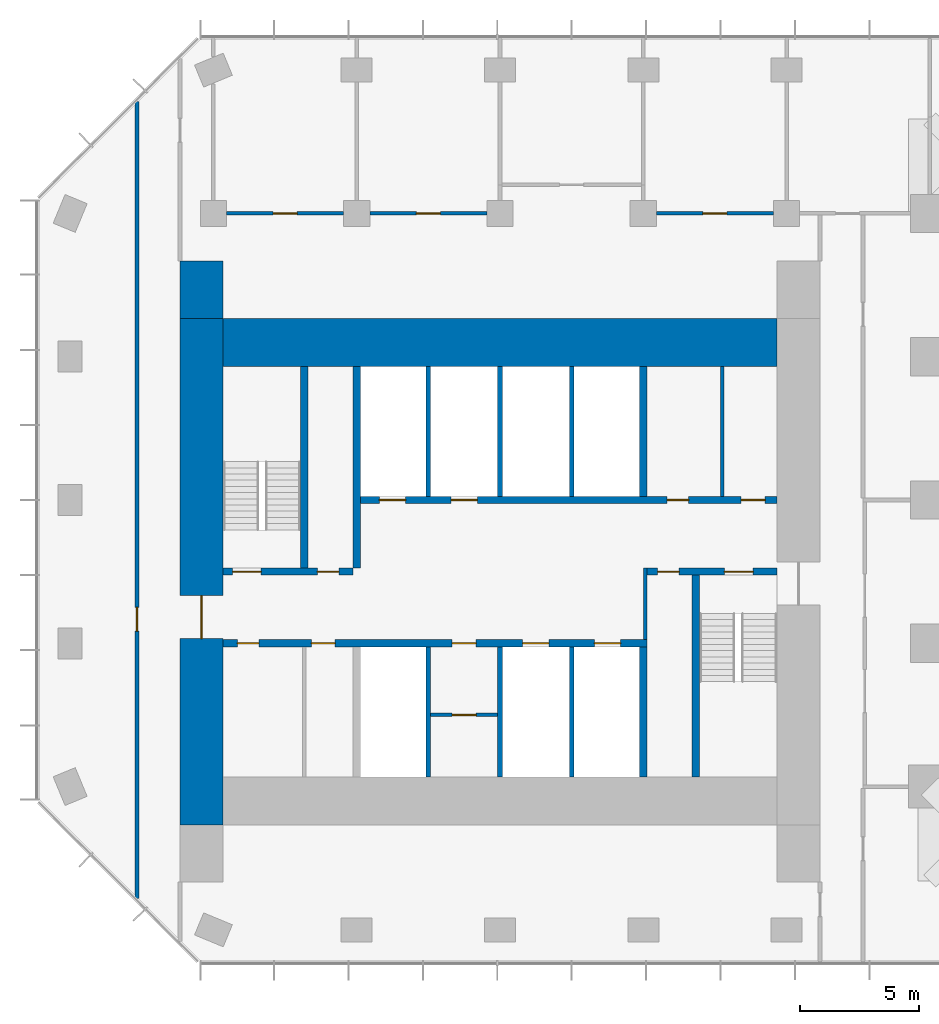
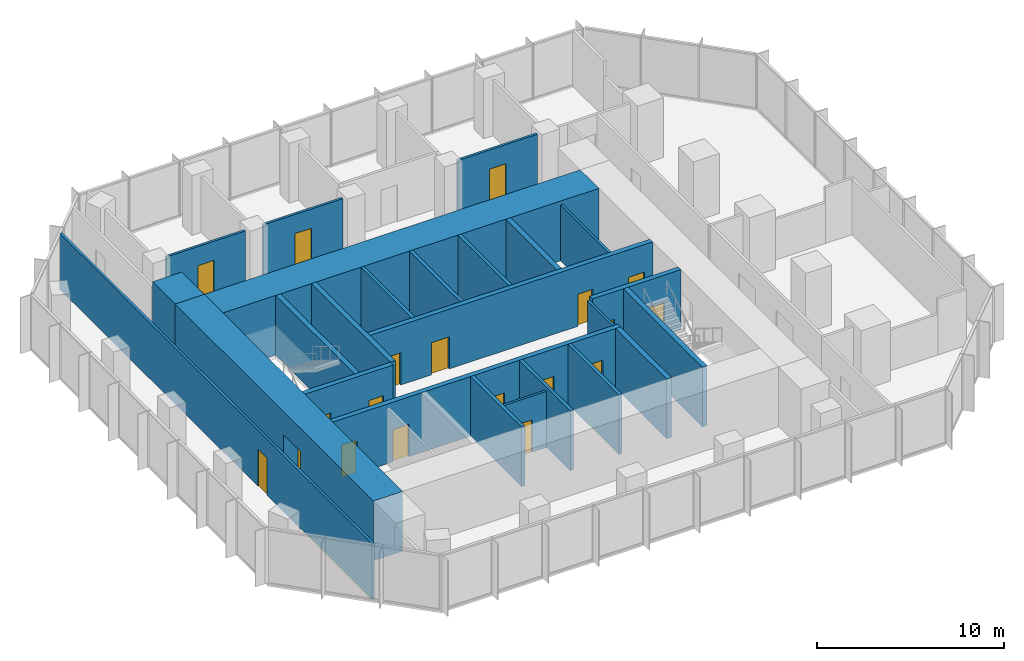
# One storey, part 8 of 10: 25 walls, 19 doors, 19 openings.
"""IFC4 building model written with IfcOpenShell, lengths in metres."""

from ifc_helpers import new_model, si_unit, direction, frame, frame_2d, origin, place, context, subcontext, project, spatial, rectangle, extrude, material, layer, layer_set, type_object, element, fill, save


model = new_model("IFC4")

# Units and contexts
model_context = context("Model", 3, precision=1e-05, world=origin(), true_north=direction((0.0, 1.0)))
body_context = subcontext(model_context, "Body", "Model", "MODEL_VIEW")
ifc_project = project(units=[si_unit("LENGTHUNIT", "METRE"), si_unit("AREAUNIT", "SQUARE_METRE"), si_unit("VOLUMEUNIT", "CUBIC_METRE"), si_unit("PLANEANGLEUNIT", "RADIAN"), si_unit("MASSUNIT", "GRAM", prefix="KILO")], contexts=[model_context])

# Site, building, storey
site_placement = place(None, origin())
site = spatial("IfcSite", under=ifc_project, at=site_placement, CompositionType="ELEMENT")
building_placement = place(site_placement, origin())
building = spatial("IfcBuilding", under=site, at=building_placement, Name="Highveld Stack Headquarters", CompositionType="ELEMENT")
storey_placement = place(building_placement, frame((0.0, 0.0, 245.0)))
storey = spatial("IfcBuildingStorey", under=building, at=storey_placement, Name="L60", CompositionType="ELEMENT", Elevation=245.0)

# Wall, opening, door
ifc_material_1 = material(Name="Concrete C60/75", Category="concrete")
ifc_layer_1 = layer(ifc_material_1, 1.800048828125)
ifc_layer_set_1 = layer_set([ifc_layer_1], Name="Concrete C60/75")
wall_type_1 = type_object("IfcWallType", Name="CORE WALL 1800 C60/75", PredefinedType="SHEAR", material=ifc_layer_set_1)
wall_1_placement = place(storey_placement, frame((-6.5, -7.60009765625, 0.0), z_axis=(0.0, 0.0, 1.0), x_axis=(0.0, 1.0, 0.0)))
wall_1 = element("IfcWall", 1, at=wall_1_placement, inside=storey, type_object=wall_type_1, Name="Core wall W L60", PredefinedType="SHEAR", context=body_context, shape_type="SweptSolid", body=[
    extrude(rectangle(XDim=21.2001953125, YDim=1.800048828125, at=frame_2d((10.60009765625, 0.0))), origin(), (0.0, 0.0, 1.0), 3.89990234375),
])
opening_1_placement = place(wall_1_placement, frame((7.800048828125, 0.0, 0.0)))
opening_1 = element("IfcOpeningElement", 2, at=opening_1_placement, cuts=wall_1, Name="Opening L60-01", PredefinedType="OPENING", context=body_context, shape_type="SweptSolid", body=[
    extrude(rectangle(XDim=1.800048828125, YDim=2.39990234375, at=frame_2d((0.89990234375, 1.199951171875))), frame((0.0, 0.909912109375, 0.0), z_axis=(0.0, -1.0, 0.0), x_axis=(1.0, 0.0, 0.0)), (0.0, 0.0, 1.0), 1.820068359375),
])
ifc_material_2 = material(Name="Steel fire door", Category="steel")
door_type_1 = type_object("IfcDoorType", Name="LOBBY FIRE DOOR D4 1800x2400", OperationType="DOUBLE_DOOR_SINGLE_SWING", PredefinedType="DOOR", material=ifc_material_2)
door_1_placement = place(opening_1_placement, origin())
door_1 = element("IfcDoor", 3, at=door_1_placement, inside=storey, type_object=door_type_1, Name="Core west door L60", OperationType="DOUBLE_DOOR_SINGLE_SWING", OverallHeight=2.39990234375, OverallWidth=1.800048828125, PredefinedType="DOOR", context=body_context, shape_type="SweptSolid", body=[
    extrude(rectangle(XDim=1.800048828125, YDim=2.39990234375, at=frame_2d((0.89990234375, 1.199951171875))), frame((0.0, 0.02490234375, 0.0), z_axis=(0.0, -1.0, 0.0), x_axis=(1.0, 0.0, 0.0)), (0.0, 0.0, 1.0), 0.050048828125),
])
fill(opening_1, door_1)

# Wall
ifc_material_3 = material(Name="Concrete C60/75", Category="concrete")
ifc_layer_2 = layer(ifc_material_3, 2.0)
ifc_layer_set_2 = layer_set([ifc_layer_2], Name="Concrete C60/75")
wall_type_2 = type_object("IfcWallType", Name="CORE WALL 2000 C60/75", PredefinedType="SHEAR", material=ifc_layer_set_2)
wall_2_placement = place(storey_placement, frame((-5.60009765625, 12.60009765625, 0.0), z_axis=(0.0, 0.0, 1.0), x_axis=(1.0, 0.0, 0.0)))
element("IfcWall", 4, at=wall_2_placement, inside=storey, type_object=wall_type_2, Name="Core wall N L60", PredefinedType="SHEAR", context=body_context, shape_type="SweptSolid", body=[
    extrude(rectangle(XDim=23.2001953125, YDim=2.0, at=frame_2d((11.60009765625, 0.0))), origin(), (0.0, 0.0, 1.0), 3.89990234375),
])

# Wall, openings, doors
ifc_material_4 = material(Name="Concrete C60/75", Category="concrete")
ifc_layer_3 = layer(ifc_material_4, 0.300048828125)
ifc_layer_set_3 = layer_set([ifc_layer_3], Name="Concrete C60/75")
wall_type_3 = type_object("IfcWallType", Name="CORE WALL 300 C60/75", PredefinedType="SHEAR", material=ifc_layer_set_3)
wall_3_placement = place(storey_placement, frame((-5.60009765625, 0.0, 0.0), z_axis=(0.0, 0.0, 1.0), x_axis=(1.0, 0.0, 0.0)))
wall_3 = element("IfcWall", 5, at=wall_3_placement, inside=storey, type_object=wall_type_3, Name="Core wall I-Y0 L60", PredefinedType="SHEAR", context=body_context, shape_type="SweptSolid", body=[
    extrude(rectangle(XDim=17.75, YDim=0.300048828125, at=frame_2d((8.875, 0.0))), origin(), (0.0, 0.0, 1.0), 3.89990234375),
])
opening_2_placement = place(wall_3_placement, frame((0.60009765625, 0.0, 0.0)))
opening_2 = element("IfcOpeningElement", 6, at=opening_2_placement, cuts=wall_3, Name="Opening L60-07", PredefinedType="OPENING", context=body_context, shape_type="SweptSolid", body=[
    extrude(rectangle(XDim=0.89990234375, YDim=2.10009765625, at=frame_2d((0.449951171875, 1.050048828125))), frame((0.0, 0.159912109375, 0.0), z_axis=(0.0, -1.0, 0.0), x_axis=(1.0, 0.0, 0.0)), (0.0, 0.0, 1.0), 0.320068359375),
])
opening_3_placement = place(wall_3_placement, frame((3.699951171875, 0.0, 0.0)))
opening_3 = element("IfcOpeningElement", 7, at=opening_3_placement, cuts=wall_3, Name="Opening L60-08", PredefinedType="OPENING", context=body_context, shape_type="SweptSolid", body=[
    extrude(rectangle(XDim=1.0, YDim=2.10009765625, at=frame_2d((0.5, 1.050048828125))), frame((0.0, 0.159912109375, 0.0), z_axis=(0.0, -1.0, 0.0), x_axis=(1.0, 0.0, 0.0)), (0.0, 0.0, 1.0), 0.320068359375),
])
opening_4_placement = place(wall_3_placement, frame((9.60009765625, 0.0, 0.0)))
opening_4 = element("IfcOpeningElement", 8, at=opening_4_placement, cuts=wall_3, Name="Opening L60-12", PredefinedType="OPENING", context=body_context, shape_type="SweptSolid", body=[
    extrude(rectangle(XDim=1.0, YDim=2.10009765625, at=frame_2d((0.5, 1.050048828125))), frame((0.0, 0.159912109375, 0.0), z_axis=(0.0, -1.0, 0.0), x_axis=(1.0, 0.0, 0.0)), (0.0, 0.0, 1.0), 0.320068359375),
])
opening_5_placement = place(wall_3_placement, frame((12.550048828125, 0.0, 0.0)))
opening_5 = element("IfcOpeningElement", 9, at=opening_5_placement, cuts=wall_3, Name="Opening LD", PredefinedType="OPENING", context=body_context, shape_type="SweptSolid", body=[
    extrude(rectangle(XDim=1.10009765625, YDim=2.10009765625, at=frame_2d((0.550048828125, 1.050048828125))), frame((0.0, 0.159912109375, 0.0), z_axis=(0.0, -1.0, 0.0), x_axis=(1.0, 0.0, 0.0)), (0.0, 0.0, 1.0), 0.320068359375),
])
opening_6_placement = place(wall_3_placement, frame((15.550048828125, 0.0, 0.0)))
opening_6 = element("IfcOpeningElement", 10, at=opening_6_placement, cuts=wall_3, Name="Opening LD", PredefinedType="OPENING", context=body_context, shape_type="SweptSolid", body=[
    extrude(rectangle(XDim=1.10009765625, YDim=2.10009765625, at=frame_2d((0.550048828125, 1.050048828125))), frame((0.0, 0.159912109375, 0.0), z_axis=(0.0, -1.0, 0.0), x_axis=(1.0, 0.0, 0.0)), (0.0, 0.0, 1.0), 0.320068359375),
])
ifc_material_5 = material(Name="Steel fire door", Category="steel")
door_type_2 = type_object("IfcDoorType", Name="CORE ROOM FIRE DOOR D14 1000x2100", OperationType="SINGLE_SWING_LEFT", PredefinedType="DOOR", material=ifc_material_5)
door_2_placement = place(opening_3_placement, origin())
door_2 = element("IfcDoor", 11, at=door_2_placement, inside=storey, type_object=door_type_2, Name="Cleaners store door L60", OperationType="SINGLE_SWING_LEFT", OverallHeight=2.10009765625, OverallWidth=1.0, PredefinedType="DOOR", context=body_context, shape_type="SweptSolid", body=[
    extrude(rectangle(XDim=1.0, YDim=2.10009765625, at=frame_2d((0.5, 1.050048828125))), frame((0.0, 0.02490234375, 0.0), z_axis=(0.0, -1.0, 0.0), x_axis=(1.0, 0.0, 0.0)), (0.0, 0.0, 1.0), 0.050048828125),
])
fill(opening_3, door_2)
door_3_placement = place(opening_4_placement, origin())
door_3 = element("IfcDoor", 12, at=door_3_placement, inside=storey, type_object=door_type_2, Name="Capped B 1 door L60", OperationType="SINGLE_SWING_RIGHT", OverallHeight=2.10009765625, OverallWidth=1.0, PredefinedType="DOOR", context=body_context, shape_type="SweptSolid", body=[
    extrude(rectangle(XDim=1.0, YDim=2.10009765625, at=frame_2d((0.5, 1.050048828125))), frame((0.0, 0.02490234375, 0.0), z_axis=(0.0, -1.0, 0.0), x_axis=(1.0, 0.0, 0.0)), (0.0, 0.0, 1.0), 0.050048828125),
])
fill(opening_4, door_3)
ifc_material_6 = material(Name="Stainless steel lift landing door", Category="steel")
door_type_3 = type_object("IfcDoorType", Name="LIFT LANDING DOOR LD 1100x2100", OperationType="DOUBLE_DOOR_SLIDING", PredefinedType="USERDEFINED", material=ifc_material_6)
door_4_placement = place(opening_5_placement, origin())
door_4 = element("IfcDoor", 13, at=door_4_placement, inside=storey, type_object=door_type_3, Name="Lift landing door C1 L60", ObjectType="LIFT LANDING DOOR", OperationType="DOUBLE_DOOR_SLIDING", OverallHeight=2.10009765625, OverallWidth=1.10009765625, PredefinedType="USERDEFINED", context=body_context, shape_type="SweptSolid", body=[
    extrude(rectangle(XDim=1.10009765625, YDim=2.10009765625, at=frame_2d((0.550048828125, 1.050048828125))), frame((0.0, 0.02490234375, 0.0), z_axis=(0.0, -1.0, 0.0), x_axis=(1.0, 0.0, 0.0)), (0.0, 0.0, 1.0), 0.050048828125),
])
fill(opening_5, door_4)
door_5_placement = place(opening_6_placement, origin())
door_5 = element("IfcDoor", 14, at=door_5_placement, inside=storey, type_object=door_type_3, Name="Lift landing door C2 L60", ObjectType="LIFT LANDING DOOR", OperationType="DOUBLE_DOOR_SLIDING", OverallHeight=2.10009765625, OverallWidth=1.10009765625, PredefinedType="USERDEFINED", context=body_context, shape_type="SweptSolid", body=[
    extrude(rectangle(XDim=1.10009765625, YDim=2.10009765625, at=frame_2d((0.550048828125, 1.050048828125))), frame((0.0, 0.02490234375, 0.0), z_axis=(0.0, -1.0, 0.0), x_axis=(1.0, 0.0, 0.0)), (0.0, 0.0, 1.0), 0.050048828125),
])
fill(opening_6, door_5)
ifc_material_7 = material(Name="Timber door, painted", Category="wood")
door_type_4 = type_object("IfcDoorType", Name="WC DOOR D1 900x2100", OperationType="SINGLE_SWING_LEFT", PredefinedType="DOOR", material=ifc_material_7)
door_6_placement = place(opening_2_placement, origin())
door_6 = element("IfcDoor", 15, at=door_6_placement, inside=storey, type_object=door_type_4, Name="Female WC door L60", OperationType="SINGLE_SWING_LEFT", OverallHeight=2.10009765625, OverallWidth=0.89990234375, PredefinedType="DOOR", context=body_context, shape_type="SweptSolid", body=[
    extrude(rectangle(XDim=0.89990234375, YDim=2.10009765625, at=frame_2d((0.449951171875, 1.050048828125))), frame((0.0, 0.02490234375, 0.0), z_axis=(0.0, -1.0, 0.0), x_axis=(1.0, 0.0, 0.0)), (0.0, 0.0, 1.0), 0.050048828125),
])
fill(opening_2, door_6)

wall_4_placement = place(storey_placement, frame((-5.60009765625, 3.0, 0.0), z_axis=(0.0, 0.0, 1.0), x_axis=(1.0, 0.0, 0.0)))
wall_4 = element("IfcWall", 16, at=wall_4_placement, inside=storey, type_object=wall_type_3, Name="Core wall I-Y3W L60", PredefinedType="SHEAR", context=body_context, shape_type="SweptSolid", body=[
    extrude(rectangle(XDim=5.4501953125, YDim=0.300048828125, at=frame_2d((2.72509765625, 0.0))), origin(), (0.0, 0.0, 1.0), 3.89990234375),
])
opening_7_placement = place(wall_4_placement, frame((0.39990234375, 0.0, 0.0)))
opening_7 = element("IfcOpeningElement", 17, at=opening_7_placement, cuts=wall_4, Name="Opening L60-03", PredefinedType="OPENING", context=body_context, shape_type="SweptSolid", body=[
    extrude(rectangle(XDim=1.199951171875, YDim=2.10009765625, at=frame_2d((0.60009765625, 1.050048828125))), frame((0.0, 0.159912109375, 0.0), z_axis=(0.0, -1.0, 0.0), x_axis=(1.0, 0.0, 0.0)), (0.0, 0.0, 1.0), 0.320068359375),
])
opening_8_placement = place(wall_4_placement, frame((3.949951171875, 0.0, 0.0)))
opening_8 = element("IfcOpeningElement", 18, at=opening_8_placement, cuts=wall_4, Name="Opening L60-04", PredefinedType="OPENING", context=body_context, shape_type="SweptSolid", body=[
    extrude(rectangle(XDim=0.89990234375, YDim=2.10009765625, at=frame_2d((0.449951171875, 1.050048828125))), frame((0.0, 0.159912109375, 0.0), z_axis=(0.0, -1.0, 0.0), x_axis=(1.0, 0.0, 0.0)), (0.0, 0.0, 1.0), 0.320068359375),
])
ifc_material_8 = material(Name="Steel fire door", Category="steel")
door_type_5 = type_object("IfcDoorType", Name="RISER ACCESS DOOR D5 900x2100", OperationType="SINGLE_SWING_LEFT", PredefinedType="DOOR", material=ifc_material_8)
door_7_placement = place(opening_8_placement, origin())
door_7 = element("IfcDoor", 19, at=door_7_placement, inside=storey, type_object=door_type_5, Name="Riser R1 door L60", OperationType="SINGLE_SWING_RIGHT", OverallHeight=2.10009765625, OverallWidth=0.89990234375, PredefinedType="DOOR", context=body_context, shape_type="SweptSolid", body=[
    extrude(rectangle(XDim=0.89990234375, YDim=2.10009765625, at=frame_2d((0.449951171875, 1.050048828125))), frame((0.0, 0.02490234375, 0.0), z_axis=(0.0, -1.0, 0.0), x_axis=(1.0, 0.0, 0.0)), (0.0, 0.0, 1.0), 0.050048828125),
])
fill(opening_8, door_7)
ifc_material_9 = material(Name="Steel fire door", Category="steel")
door_type_6 = type_object("IfcDoorType", Name="STAIR FIRE DOOR D3 1200x2100", OperationType="SINGLE_SWING_LEFT", PredefinedType="DOOR", material=ifc_material_9)
door_8_placement = place(opening_7_placement, origin())
door_8 = element("IfcDoor", 20, at=door_8_placement, inside=storey, type_object=door_type_6, Name="Stair S1 door L60", OperationType="SINGLE_SWING_LEFT", OverallHeight=2.10009765625, OverallWidth=1.199951171875, PredefinedType="DOOR", context=body_context, shape_type="SweptSolid", body=[
    extrude(rectangle(XDim=1.199951171875, YDim=2.10009765625, at=frame_2d((0.60009765625, 1.050048828125))), frame((0.0, 0.02490234375, 0.0), z_axis=(0.0, -1.0, 0.0), x_axis=(1.0, 0.0, 0.0)), (0.0, 0.0, 1.0), 0.050048828125),
])
fill(opening_7, door_8)

wall_5_placement = place(storey_placement, frame((12.14990234375, 3.0, 0.0), z_axis=(0.0, 0.0, 1.0), x_axis=(1.0, 0.0, 0.0)))
wall_5 = element("IfcWall", 21, at=wall_5_placement, inside=storey, type_object=wall_type_3, Name="Core wall I-Y3E L60", PredefinedType="SHEAR", context=body_context, shape_type="SweptSolid", body=[
    extrude(rectangle(XDim=5.4501953125, YDim=0.300048828125, at=frame_2d((2.72509765625, 0.0))), origin(), (0.0, 0.0, 1.0), 3.89990234375),
])
opening_9_placement = place(wall_5_placement, frame((3.25, 0.0, 0.0)))
opening_9 = element("IfcOpeningElement", 22, at=opening_9_placement, cuts=wall_5, Name="Opening L60-05", PredefinedType="OPENING", context=body_context, shape_type="SweptSolid", body=[
    extrude(rectangle(XDim=1.199951171875, YDim=2.10009765625, at=frame_2d((0.60009765625, 1.050048828125))), frame((0.0, 0.159912109375, 0.0), z_axis=(0.0, -1.0, 0.0), x_axis=(1.0, 0.0, 0.0)), (0.0, 0.0, 1.0), 0.320068359375),
])
opening_10_placement = place(wall_5_placement, frame((0.449951171875, 0.0, 0.0)))
opening_10 = element("IfcOpeningElement", 23, at=opening_10_placement, cuts=wall_5, Name="Opening L60-06", PredefinedType="OPENING", context=body_context, shape_type="SweptSolid", body=[
    extrude(rectangle(XDim=0.89990234375, YDim=2.10009765625, at=frame_2d((0.449951171875, 1.050048828125))), frame((0.0, 0.159912109375, 0.0), z_axis=(0.0, -1.0, 0.0), x_axis=(1.0, 0.0, 0.0)), (0.0, 0.0, 1.0), 0.320068359375),
])
door_9_placement = place(opening_10_placement, origin())
door_9 = element("IfcDoor", 24, at=door_9_placement, inside=storey, type_object=door_type_5, Name="Riser R2 door L60", OperationType="SINGLE_SWING_LEFT", OverallHeight=2.10009765625, OverallWidth=0.89990234375, PredefinedType="DOOR", context=body_context, shape_type="SweptSolid", body=[
    extrude(rectangle(XDim=0.89990234375, YDim=2.10009765625, at=frame_2d((0.449951171875, 1.050048828125))), frame((0.0, 0.02490234375, 0.0), z_axis=(0.0, -1.0, 0.0), x_axis=(1.0, 0.0, 0.0)), (0.0, 0.0, 1.0), 0.050048828125),
])
fill(opening_10, door_9)
door_10_placement = place(opening_9_placement, origin())
door_10 = element("IfcDoor", 25, at=door_10_placement, inside=storey, type_object=door_type_6, Name="Stair S2 door L60", OperationType="SINGLE_SWING_RIGHT", OverallHeight=2.10009765625, OverallWidth=1.199951171875, PredefinedType="DOOR", context=body_context, shape_type="SweptSolid", body=[
    extrude(rectangle(XDim=1.199951171875, YDim=2.10009765625, at=frame_2d((0.60009765625, 1.050048828125))), frame((0.0, 0.02490234375, 0.0), z_axis=(0.0, -1.0, 0.0), x_axis=(1.0, 0.0, 0.0)), (0.0, 0.0, 1.0), 0.050048828125),
])
fill(opening_9, door_10)

wall_6_placement = place(storey_placement, frame((-0.14990234375, 6.0, 0.0), z_axis=(0.0, 0.0, 1.0), x_axis=(1.0, 0.0, 0.0)))
wall_6 = element("IfcWall", 26, at=wall_6_placement, inside=storey, type_object=wall_type_3, Name="Core wall I-Y6 L60", PredefinedType="SHEAR", context=body_context, shape_type="SweptSolid", body=[
    extrude(rectangle(XDim=17.75, YDim=0.300048828125, at=frame_2d((8.875, 0.0))), origin(), (0.0, 0.0, 1.0), 3.89990234375),
])
opening_11_placement = place(wall_6_placement, frame((13.14990234375, 0.0, 0.0)))
opening_11 = element("IfcOpeningElement", 27, at=opening_11_placement, cuts=wall_6, Name="Opening L60-09", PredefinedType="OPENING", context=body_context, shape_type="SweptSolid", body=[
    extrude(rectangle(XDim=0.89990234375, YDim=2.10009765625, at=frame_2d((0.449951171875, 1.050048828125))), frame((0.0, 0.159912109375, 0.0), z_axis=(0.0, -1.0, 0.0), x_axis=(1.0, 0.0, 0.0)), (0.0, 0.0, 1.0), 0.320068359375),
])
opening_12_placement = place(wall_6_placement, frame((16.25, 0.0, 0.0)))
opening_12 = element("IfcOpeningElement", 28, at=opening_12_placement, cuts=wall_6, Name="Opening L60-10", PredefinedType="OPENING", context=body_context, shape_type="SweptSolid", body=[
    extrude(rectangle(XDim=1.0, YDim=2.10009765625, at=frame_2d((0.5, 1.050048828125))), frame((0.0, 0.159912109375, 0.0), z_axis=(0.0, -1.0, 0.0), x_axis=(1.0, 0.0, 0.0)), (0.0, 0.0, 1.0), 0.320068359375),
])
opening_13_placement = place(wall_6_placement, frame((1.10009765625, 0.0, 0.0)))
opening_13 = element("IfcOpeningElement", 29, at=opening_13_placement, cuts=wall_6, Name="Opening LD", PredefinedType="OPENING", context=body_context, shape_type="SweptSolid", body=[
    extrude(rectangle(XDim=1.10009765625, YDim=2.10009765625, at=frame_2d((0.550048828125, 1.050048828125))), frame((0.0, 0.159912109375, 0.0), z_axis=(0.0, -1.0, 0.0), x_axis=(1.0, 0.0, 0.0)), (0.0, 0.0, 1.0), 0.320068359375),
])
opening_14_placement = place(wall_6_placement, frame((4.10009765625, 0.0, 0.0)))
opening_14 = element("IfcOpeningElement", 30, at=opening_14_placement, cuts=wall_6, Name="Opening LD", PredefinedType="OPENING", context=body_context, shape_type="SweptSolid", body=[
    extrude(rectangle(XDim=1.10009765625, YDim=2.10009765625, at=frame_2d((0.550048828125, 1.050048828125))), frame((0.0, 0.159912109375, 0.0), z_axis=(0.0, -1.0, 0.0), x_axis=(1.0, 0.0, 0.0)), (0.0, 0.0, 1.0), 0.320068359375),
])
ifc_material_10 = material(Name="Timber door, painted", Category="wood")
door_type_7 = type_object("IfcDoorType", Name="ACCESSIBLE WC DOOR D2 1000x2100", OperationType="SINGLE_SWING_RIGHT", PredefinedType="DOOR", material=ifc_material_10)
door_11_placement = place(opening_12_placement, origin())
door_11 = element("IfcDoor", 31, at=door_11_placement, inside=storey, type_object=door_type_7, Name="Accessible WC door L60", OperationType="SINGLE_SWING_RIGHT", OverallHeight=2.10009765625, OverallWidth=1.0, PredefinedType="DOOR", context=body_context, shape_type="SweptSolid", body=[
    extrude(rectangle(XDim=1.0, YDim=2.10009765625, at=frame_2d((0.5, 1.050048828125))), frame((0.0, 0.02490234375, 0.0), z_axis=(0.0, -1.0, 0.0), x_axis=(1.0, 0.0, 0.0)), (0.0, 0.0, 1.0), 0.050048828125),
])
fill(opening_12, door_11)
door_12_placement = place(opening_13_placement, origin())
door_12 = element("IfcDoor", 32, at=door_12_placement, inside=storey, type_object=door_type_3, Name="Lift landing door FF1 L60", ObjectType="LIFT LANDING DOOR", OperationType="DOUBLE_DOOR_SLIDING", OverallHeight=2.10009765625, OverallWidth=1.10009765625, PredefinedType="USERDEFINED", context=body_context, shape_type="SweptSolid", body=[
    extrude(rectangle(XDim=1.10009765625, YDim=2.10009765625, at=frame_2d((0.550048828125, 1.050048828125))), frame((0.0, 0.02490234375, 0.0), z_axis=(0.0, -1.0, 0.0), x_axis=(1.0, 0.0, 0.0)), (0.0, 0.0, 1.0), 0.050048828125),
])
fill(opening_13, door_12)
door_13_placement = place(opening_14_placement, origin())
door_13 = element("IfcDoor", 33, at=door_13_placement, inside=storey, type_object=door_type_3, Name="Lift landing door FF2 L60", ObjectType="LIFT LANDING DOOR", OperationType="DOUBLE_DOOR_SLIDING", OverallHeight=2.10009765625, OverallWidth=1.10009765625, PredefinedType="USERDEFINED", context=body_context, shape_type="SweptSolid", body=[
    extrude(rectangle(XDim=1.10009765625, YDim=2.10009765625, at=frame_2d((0.550048828125, 1.050048828125))), frame((0.0, 0.02490234375, 0.0), z_axis=(0.0, -1.0, 0.0), x_axis=(1.0, 0.0, 0.0)), (0.0, 0.0, 1.0), 0.050048828125),
])
fill(opening_14, door_13)
door_14_placement = place(opening_11_placement, origin())
door_14 = element("IfcDoor", 34, at=door_14_placement, inside=storey, type_object=door_type_4, Name="Male WC door L60", OperationType="SINGLE_SWING_RIGHT", OverallHeight=2.10009765625, OverallWidth=0.89990234375, PredefinedType="DOOR", context=body_context, shape_type="SweptSolid", body=[
    extrude(rectangle(XDim=0.89990234375, YDim=2.10009765625, at=frame_2d((0.449951171875, 1.050048828125))), frame((0.0, 0.02490234375, 0.0), z_axis=(0.0, -1.0, 0.0), x_axis=(1.0, 0.0, 0.0)), (0.0, 0.0, 1.0), 0.050048828125),
])
fill(opening_11, door_14)

# Walls
wall_7_placement = place(storey_placement, frame((0.0, 3.14990234375, 0.0), z_axis=(0.0, 0.0, 1.0), x_axis=(0.0, 1.0, 0.0)))
element("IfcWall", 35, at=wall_7_placement, inside=storey, type_object=wall_type_3, Name="Core wall I-X0N L60", PredefinedType="SHEAR", context=body_context, shape_type="SweptSolid", body=[
    extrude(rectangle(XDim=8.4501953125, YDim=0.300048828125, at=frame_2d((4.22509765625, 0.0))), origin(), (0.0, 0.0, 1.0), 3.89990234375),
])
for number, where, z_axis, x_axis, name in (
    (36, (12.0, -5.60009765625, 0.0), (0.0, 0.0, 1.0), (0.0, 1.0, 0.0), "Core wall I-X12S L60"),
    (37, (12.0, 6.14990234375, 0.0), (0.0, 0.0, 1.0), (0.0, 1.0, 0.0), "Core wall I-X12N L60"),
):
    element("IfcWall", number, at=place(storey_placement, frame(where, z_axis=z_axis, x_axis=x_axis)), inside=storey, type_object=wall_type_3, Name=name, PredefinedType="SHEAR", context=body_context, shape_type="SweptSolid", body=[
        extrude(rectangle(XDim=5.4501953125, YDim=0.300048828125, at=frame_2d((2.72509765625, 0.0))), origin(), (0.0, 0.0, 1.0), 3.89990234375),
    ])
for number, where, z_axis, x_axis, name in (
    (38, (-2.199951171875, 3.14990234375, 0.0), (0.0, 0.0, 1.0), (0.0, 1.0, 0.0), "Core wall I-RW L60"),
    (39, (14.199951171875, -5.60009765625, 0.0), (0.0, 0.0, 1.0), (0.0, 1.0, 0.0), "Core wall I-RE L60"),
):
    element("IfcWall", number, at=place(storey_placement, frame(where, z_axis=z_axis, x_axis=x_axis)), inside=storey, type_object=wall_type_3, Name=name, PredefinedType="SHEAR", context=body_context, shape_type="SweptSolid", body=[
        extrude(rectangle(XDim=8.4501953125, YDim=0.300048828125, at=frame_2d((4.22509765625, 0.0))), origin(), (0.0, 0.0, 1.0), 3.89990234375),
    ])
ifc_material_11 = material(Name="Concrete C60/75", Category="concrete")
ifc_layer_4 = layer(ifc_material_11, 1.800048828125)
ifc_layer_set_4 = layer_set([ifc_layer_4], Name="Concrete C60/75")
wall_type_4 = type_object("IfcWallType", Name="CORE WING WALL 1800 C60/75", PredefinedType="SHEAR", material=ifc_layer_set_4)
wall_8_placement = place(storey_placement, frame((-6.5, 13.60009765625, 0.0), z_axis=(0.0, 0.0, 1.0), x_axis=(0.0, 1.0, 0.0)))
element("IfcWall", 40, at=wall_8_placement, inside=storey, type_object=wall_type_4, Name="Core wing wall WN L60", PredefinedType="SHEAR", context=body_context, shape_type="SweptSolid", body=[
    extrude(rectangle(XDim=2.39990234375, YDim=1.800048828125, at=frame_2d((1.199951171875, 0.0))), origin(), (0.0, 0.0, 1.0), 3.89990234375),
])

# Wall, opening, door
ifc_material_12 = material(Name="Concrete blockwork, plastered", Category="masonry")
ifc_layer_5 = layer(ifc_material_12, 0.14990234375)
ifc_layer_set_5 = layer_set([ifc_layer_5], Name="Concrete blockwork, plastered")
wall_type_5 = type_object("IfcWallType", Name="FIRE PARTITION 150 BLOCKWORK", PredefinedType="PARTITIONING", material=ifc_layer_set_5)
wall_9_placement = place(storey_placement, frame((3.10009765625, -3.0, 0.0), z_axis=(0.0, 0.0, 1.0), x_axis=(1.0, 0.0, 0.0)))
wall_9 = element("IfcWall", 41, at=wall_9_placement, inside=storey, type_object=wall_type_5, Name="Core room partition L60", PredefinedType="PARTITIONING", context=body_context, shape_type="SweptSolid", body=[
    extrude(rectangle(XDim=2.7998046875, YDim=0.14990234375, at=frame_2d((1.39990234375, 0.0))), origin(), (0.0, 0.0, 1.0), 3.64990234375),
])
opening_15_placement = place(wall_9_placement, frame((0.89990234375, 0.0, 0.0)))
opening_15 = element("IfcOpeningElement", 42, at=opening_15_placement, cuts=wall_9, Name="Opening L60-11", PredefinedType="OPENING", context=body_context, shape_type="SweptSolid", body=[
    extrude(rectangle(XDim=1.0, YDim=2.10009765625, at=frame_2d((0.5, 1.050048828125))), frame((0.0, 0.0849609375, 0.0), z_axis=(0.0, -1.0, 0.0), x_axis=(1.0, 0.0, 0.0)), (0.0, 0.0, 1.0), 0.169921875),
])
door_15_placement = place(opening_15_placement, origin())
door_15 = element("IfcDoor", 43, at=door_15_placement, inside=storey, type_object=door_type_2, Name="Capped B 2 door L60", OperationType="SINGLE_SWING_LEFT", OverallHeight=2.10009765625, OverallWidth=1.0, PredefinedType="DOOR", context=body_context, shape_type="SweptSolid", body=[
    extrude(rectangle(XDim=1.0, YDim=2.10009765625, at=frame_2d((0.5, 1.050048828125))), frame((0.0, 0.02490234375, 0.0), z_axis=(0.0, -1.0, 0.0), x_axis=(1.0, 0.0, 0.0)), (0.0, 0.0, 1.0), 0.050048828125),
])
fill(opening_15, door_15)

# Walls
wall_10_placement = place(storey_placement, frame((12.074951171875, 0.14990234375, 0.0), z_axis=(0.0, 0.0, 1.0), x_axis=(0.0, 1.0, 0.0)))
element("IfcWall", 44, at=wall_10_placement, inside=storey, type_object=wall_type_5, Name="Riser R2 enclosure L60", PredefinedType="PARTITIONING", context=body_context, shape_type="SweptSolid", body=[
    extrude(rectangle(XDim=3.0, YDim=0.14990234375, at=frame_2d((1.5, 0.0))), origin(), (0.0, 0.0, 1.0), 3.64990234375),
])
ifc_material_13 = material(Name="Concrete blockwork, fair-faced", Category="masonry")
ifc_layer_6 = layer(ifc_material_13, 0.199951171875)
ifc_layer_set_6 = layer_set([ifc_layer_6], Name="Concrete blockwork, fair-faced")
wall_type_6 = type_object("IfcWallType", Name="LIFT SHAFT ENCLOSURE WALL 200 BLOCKWORK", PredefinedType="SOLIDWALL", material=ifc_layer_set_6)
for number, where, z_axis, x_axis, name in (
    (45, (3.0, 6.14990234375, 0.0), (0.0, 0.0, 1.0), (0.0, 1.0, 0.0), "Lift shaft wall L60"),
    (46, (6.0, 6.14990234375, 0.0), (0.0, 0.0, 1.0), (0.0, 1.0, 0.0), "Lift shaft wall L60"),
    (47, (9.0, 6.14990234375, 0.0), (0.0, 0.0, 1.0), (0.0, 1.0, 0.0), "Lift shaft wall L60"),
    (48, (3.0, -5.60009765625, 0.0), (0.0, 0.0, 1.0), (0.0, 1.0, 0.0), "Lift shaft wall L60"),
    (49, (6.0, -5.60009765625, 0.0), (0.0, 0.0, 1.0), (0.0, 1.0, 0.0), "Lift shaft wall L60"),
    (50, (9.0, -5.60009765625, 0.0), (0.0, 0.0, 1.0), (0.0, 1.0, 0.0), "Lift shaft wall L60"),
):
    element("IfcWall", number, at=place(storey_placement, frame(where, z_axis=z_axis, x_axis=x_axis)), inside=storey, type_object=wall_type_6, Name=name, PredefinedType="SOLIDWALL", context=body_context, shape_type="SweptSolid", body=[
        extrude(rectangle(XDim=5.4501953125, YDim=0.199951171875, at=frame_2d((2.72509765625, 0.0))), origin(), (0.0, 0.0, 1.0), 3.89990234375),
    ])

# Wall, opening, door
ifc_material_14 = material(Name="Gypsum plasterboard on steel studs", Category="steel")
ifc_layer_7 = layer(ifc_material_14, 0.14990234375)
ifc_layer_set_7 = layer_set([ifc_layer_7], Name="Gypsum plasterboard on steel studs")
wall_type_7 = type_object("IfcWallType", Name="PARTITION 150 PLASTERBOARD", PredefinedType="PARTITIONING", material=ifc_layer_set_7)
wall_11_placement = place(storey_placement, frame((-5.449951171875, 18.0, 0.0), z_axis=(0.0, 0.0, 1.0), x_axis=(1.0, 0.0, 0.0)))
wall_11 = element("IfcWall", 51, at=wall_11_placement, inside=storey, type_object=wall_type_7, Name="Partition Office L60", PredefinedType="PARTITIONING", context=body_context, shape_type="SweptSolid", body=[
    extrude(rectangle(XDim=4.89990234375, YDim=0.14990234375, at=frame_2d((2.449951171875, 0.0))), origin(), (0.0, 0.0, 1.0), 3.64990234375),
])
opening_16_placement = place(wall_11_placement, frame((1.949951171875, 0.0, 0.0)))
opening_16 = element("IfcOpeningElement", 52, at=opening_16_placement, cuts=wall_11, Name="Opening L60-15", PredefinedType="OPENING", context=body_context, shape_type="SweptSolid", body=[
    extrude(rectangle(XDim=1.0, YDim=2.39990234375, at=frame_2d((0.5, 1.199951171875))), frame((0.0, 0.0849609375, 0.0), z_axis=(0.0, -1.0, 0.0), x_axis=(1.0, 0.0, 0.0)), (0.0, 0.0, 1.0), 0.169921875),
])
ifc_material_15 = material(Name="Timber door, oiled ash", Category="wood")
door_type_8 = type_object("IfcDoorType", Name="ROOM DOOR D11 1000x2400", OperationType="SINGLE_SWING_LEFT", PredefinedType="DOOR", material=ifc_material_15)
door_16_placement = place(opening_16_placement, origin())
door_16 = element("IfcDoor", 53, at=door_16_placement, inside=storey, type_object=door_type_8, Name="Office door 1 L60", OperationType="SINGLE_SWING_RIGHT", OverallHeight=2.39990234375, OverallWidth=1.0, PredefinedType="DOOR", context=body_context, shape_type="SweptSolid", body=[
    extrude(rectangle(XDim=1.0, YDim=2.39990234375, at=frame_2d((0.5, 1.199951171875))), frame((0.0, 0.02490234375, 0.0), z_axis=(0.0, -1.0, 0.0), x_axis=(1.0, 0.0, 0.0)), (0.0, 0.0, 1.0), 0.050048828125),
])
fill(opening_16, door_16)

wall_12_placement = place(storey_placement, frame((0.550048828125, 18.0, 0.0), z_axis=(0.0, 0.0, 1.0), x_axis=(1.0, 0.0, 0.0)))
wall_12 = element("IfcWall", 54, at=wall_12_placement, inside=storey, type_object=wall_type_7, Name="Partition Office L60", PredefinedType="PARTITIONING", context=body_context, shape_type="SweptSolid", body=[
    extrude(rectangle(XDim=4.89990234375, YDim=0.14990234375, at=frame_2d((2.449951171875, 0.0))), origin(), (0.0, 0.0, 1.0), 3.64990234375),
])
opening_17_placement = place(wall_12_placement, frame((1.949951171875, 0.0, 0.0)))
opening_17 = element("IfcOpeningElement", 55, at=opening_17_placement, cuts=wall_12, Name="Opening L60-16", PredefinedType="OPENING", context=body_context, shape_type="SweptSolid", body=[
    extrude(rectangle(XDim=1.0, YDim=2.39990234375, at=frame_2d((0.5, 1.199951171875))), frame((0.0, 0.0849609375, 0.0), z_axis=(0.0, -1.0, 0.0), x_axis=(1.0, 0.0, 0.0)), (0.0, 0.0, 1.0), 0.169921875),
])
door_17_placement = place(opening_17_placement, origin())
door_17 = element("IfcDoor", 56, at=door_17_placement, inside=storey, type_object=door_type_8, Name="Office door 1 L60", OperationType="SINGLE_SWING_LEFT", OverallHeight=2.39990234375, OverallWidth=1.0, PredefinedType="DOOR", context=body_context, shape_type="SweptSolid", body=[
    extrude(rectangle(XDim=1.0, YDim=2.39990234375, at=frame_2d((0.5, 1.199951171875))), frame((0.0, 0.02490234375, 0.0), z_axis=(0.0, -1.0, 0.0), x_axis=(1.0, 0.0, 0.0)), (0.0, 0.0, 1.0), 0.050048828125),
])
fill(opening_17, door_17)

wall_13_placement = place(storey_placement, frame((12.550048828125, 18.0, 0.0), z_axis=(0.0, 0.0, 1.0), x_axis=(1.0, 0.0, 0.0)))
wall_13 = element("IfcWall", 57, at=wall_13_placement, inside=storey, type_object=wall_type_7, Name="Partition Office L60", PredefinedType="PARTITIONING", context=body_context, shape_type="SweptSolid", body=[
    extrude(rectangle(XDim=4.89990234375, YDim=0.14990234375, at=frame_2d((2.449951171875, 0.0))), origin(), (0.0, 0.0, 1.0), 3.64990234375),
])
opening_18_placement = place(wall_13_placement, frame((1.949951171875, 0.0, 0.0)))
opening_18 = element("IfcOpeningElement", 58, at=opening_18_placement, cuts=wall_13, Name="Opening L60-18", PredefinedType="OPENING", context=body_context, shape_type="SweptSolid", body=[
    extrude(rectangle(XDim=1.0, YDim=2.39990234375, at=frame_2d((0.5, 1.199951171875))), frame((0.0, 0.0849609375, 0.0), z_axis=(0.0, -1.0, 0.0), x_axis=(1.0, 0.0, 0.0)), (0.0, 0.0, 1.0), 0.169921875),
])
door_18_placement = place(opening_18_placement, origin())
door_18 = element("IfcDoor", 59, at=door_18_placement, inside=storey, type_object=door_type_8, Name="Office door 1 L60", OperationType="SINGLE_SWING_LEFT", OverallHeight=2.39990234375, OverallWidth=1.0, PredefinedType="DOOR", context=body_context, shape_type="SweptSolid", body=[
    extrude(rectangle(XDim=1.0, YDim=2.39990234375, at=frame_2d((0.5, 1.199951171875))), frame((0.0, 0.02490234375, 0.0), z_axis=(0.0, -1.0, 0.0), x_axis=(1.0, 0.0, 0.0)), (0.0, 0.0, 1.0), 0.050048828125),
])
fill(opening_18, door_18)

wall_14_placement = place(storey_placement, frame((-9.199951171875, -10.68896484375, 0.0), z_axis=(0.0, 0.0, 1.0), x_axis=(0.0, 1.0, 0.0)))
wall_14 = element("IfcWall", 60, at=wall_14_placement, inside=storey, type_object=wall_type_7, Name="Partition office neighbourhood L60", PredefinedType="PARTITIONING", context=body_context, shape_type="SweptSolid", body=[
    extrude(rectangle(XDim=33.3779296875, YDim=0.14990234375, at=frame_2d((16.68896484375, 0.0))), origin(), (0.0, 0.0, 1.0), 3.64990234375),
])
opening_19_placement = place(wall_14_placement, frame((11.197021484375, 0.0, 0.0)))
opening_19 = element("IfcOpeningElement", 61, at=opening_19_placement, cuts=wall_14, Name="Opening L60-21", PredefinedType="OPENING", context=body_context, shape_type="SweptSolid", body=[
    extrude(rectangle(XDim=1.0, YDim=2.39990234375, at=frame_2d((0.5, 1.199951171875))), frame((0.0, 0.0849609375, 0.0), z_axis=(0.0, -1.0, 0.0), x_axis=(1.0, 0.0, 0.0)), (0.0, 0.0, 1.0), 0.169921875),
])
door_19_placement = place(opening_19_placement, origin())
door_19 = element("IfcDoor", 62, at=door_19_placement, inside=storey, type_object=door_type_8, Name="Office neighbourhood door L60", OperationType="SINGLE_SWING_LEFT", OverallHeight=2.39990234375, OverallWidth=1.0, PredefinedType="DOOR", context=body_context, shape_type="SweptSolid", body=[
    extrude(rectangle(XDim=1.0, YDim=2.39990234375, at=frame_2d((0.5, 1.199951171875))), frame((0.0, 0.02490234375, 0.0), z_axis=(0.0, -1.0, 0.0), x_axis=(1.0, 0.0, 0.0)), (0.0, 0.0, 1.0), 0.050048828125),
])
fill(opening_19, door_19)

# Wall
ifc_material_16 = material(Name="Concrete blockwork, tiled", Category="masonry")
ifc_layer_8 = layer(ifc_material_16, 0.14990234375)
ifc_layer_set_8 = layer_set([ifc_layer_8], Name="Concrete blockwork, tiled")
wall_type_8 = type_object("IfcWallType", Name="WC PARTITION 150", PredefinedType="PLUMBINGWALL", material=ifc_layer_set_8)
wall_15_placement = place(storey_placement, frame((15.300048828125, 6.14990234375, 0.0), z_axis=(0.0, 0.0, 1.0), x_axis=(0.0, 1.0, 0.0)))
element("IfcWall", 63, at=wall_15_placement, inside=storey, type_object=wall_type_8, Name="Toilet partition L60", PredefinedType="PLUMBINGWALL", context=body_context, shape_type="SweptSolid", body=[
    extrude(rectangle(XDim=5.4501953125, YDim=0.14990234375, at=frame_2d((2.72509765625, 0.0))), origin(), (0.0, 0.0, 1.0), 3.64990234375),
])

save(model, "model.ifc")
